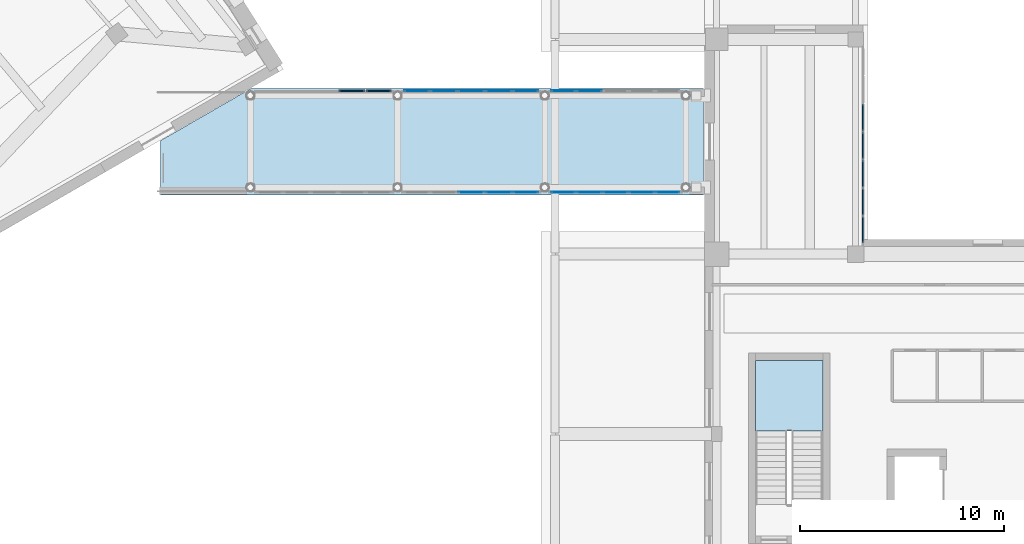
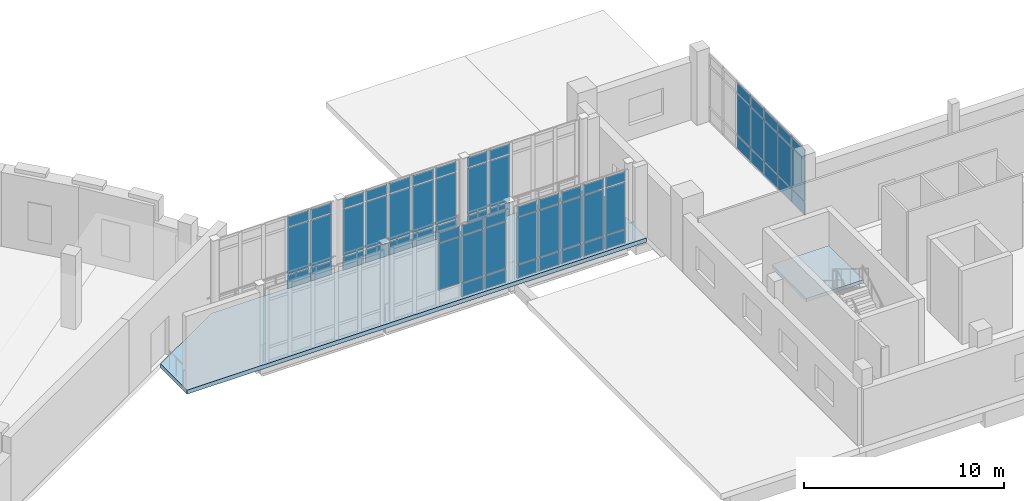
# One storey, part 43 of 75: 65 plates, 2 slabs, 7 elements without a shape of their own.
"""IFC4 building model written with IfcOpenShell, lengths in metres."""

from ifc_helpers import new_model, si_unit, direction, frame, origin, origin_2d, place, context, subcontext, project, spatial, polyline, rectangle, outline, extrude, material, layer, layer_set, type_object, element, aggregate, save


model = new_model("IFC4")

# Units and contexts
model_context = context("Model", 3, precision=1e-05, world=origin(), true_north=direction((0.0, 1.0)))
body_context = subcontext(model_context, "Body", "Model", "MODEL_VIEW")
ifc_project = project(units=[si_unit("LENGTHUNIT", "METRE"), si_unit("AREAUNIT", "SQUARE_METRE"), si_unit("VOLUMEUNIT", "CUBIC_METRE"), si_unit("PLANEANGLEUNIT", "RADIAN"), si_unit("MASSUNIT", "GRAM", prefix="KILO")], contexts=[model_context])

# Site, building, storey
site_placement = place(None, origin())
site = spatial("IfcSite", under=ifc_project, at=site_placement, CompositionType="ELEMENT")
building_placement = place(site_placement, origin())
building = spatial("IfcBuilding", under=site, at=building_placement, Name="Soyqirgoq Riverine Aquarium", CompositionType="ELEMENT")
storey_placement = place(building_placement, frame((0.0, 0.0, 10.199951171875)))
storey = spatial("IfcBuildingStorey", under=building, at=storey_placement, Name="L03", CompositionType="ELEMENT", Elevation=10.199951171875)

# Curtain wall, plates
ifc_material_1 = material(Name="Laminated solar-control bridge curtain wall", Category="aluminium")
curtain_wall_type_1 = type_object("IfcCurtainWallType", Name="CW_Bridge_Concourse", PredefinedType="NOTDEFINED", material=ifc_material_1)
curtain_wall_1_placement = place(storey_placement, origin())
curtain_wall_1 = element("IfcCurtainWall", 1, at=curtain_wall_1_placement, inside=storey, type_object=curtain_wall_type_1, Name="BR-2 L03 Curtain Wall 142", PredefinedType="NOTDEFINED")
ifc_material_2 = material(Name="Triple insulated laminated low-E glass", Category="glass")
ifc_layer_1 = layer(ifc_material_2, 0.0458984375)
ifc_layer_set_1 = layer_set([ifc_layer_1], Name="Triple insulated laminated low-E glass")
plate_type_1 = type_object("IfcPlateType", Name="CWGlazedPanel_46", PredefinedType="CURTAIN_PANEL", material=ifc_layer_set_1)
plate_1_placement = place(storey_placement, frame((110.60009765625, 77.320068359375, 0.9375), z_axis=(0.0, 0.0, 1.0), x_axis=(1.0, 0.0, 0.0)))
plate_1 = element("IfcPlate", 2, at=plate_1_placement, type_object=plate_type_1, Name="CW-06 panel 3.2", PredefinedType="CURTAIN_PANEL", context=body_context, shape_type="SweptSolid", body=[
    extrude(rectangle(XDim=1.263916015625, YDim=0.0458984375, at=origin_2d()), origin(), (0.0, 0.0, 1.0), 2.824951171875),
])
plate_2_placement = place(storey_placement, frame((110.60009765625, 77.320068359375, 3.837646484375), z_axis=(0.0, 0.0, 1.0), x_axis=(1.0, 0.0, 0.0)))
plate_2 = element("IfcPlate", 3, at=plate_2_placement, type_object=plate_type_1, Name="CW-06 panel 3.3", PredefinedType="CURTAIN_PANEL", context=body_context, shape_type="SweptSolid", body=[
    extrude(rectangle(XDim=1.263916015625, YDim=0.0458984375, at=origin_2d()), origin(), (0.0, 0.0, 1.0), 0.58740234375),
])
plate_3_placement = place(storey_placement, frame((111.944091796875, 77.320068359375, 0.074951171875), z_axis=(0.0, 0.0, 1.0), x_axis=(1.0, 0.0, 0.0)))
plate_3 = element("IfcPlate", 4, at=plate_3_placement, type_object=plate_type_1, Name="CW-06 panel 4.1", PredefinedType="CURTAIN_PANEL", context=body_context, shape_type="SweptSolid", body=[
    extrude(rectangle(XDim=1.263916015625, YDim=0.0458984375, at=origin_2d()), origin(), (0.0, 0.0, 1.0), 0.78759765625),
])
plate_4_placement = place(storey_placement, frame((111.944091796875, 77.320068359375, 0.9375), z_axis=(0.0, 0.0, 1.0), x_axis=(1.0, 0.0, 0.0)))
plate_4 = element("IfcPlate", 5, at=plate_4_placement, type_object=plate_type_1, Name="CW-06 panel 4.2", PredefinedType="CURTAIN_PANEL", context=body_context, shape_type="SweptSolid", body=[
    extrude(rectangle(XDim=1.263916015625, YDim=0.0458984375, at=origin_2d()), origin(), (0.0, 0.0, 1.0), 2.824951171875),
])
plate_5_placement = place(storey_placement, frame((111.944091796875, 77.320068359375, 3.837646484375), z_axis=(0.0, 0.0, 1.0), x_axis=(1.0, 0.0, 0.0)))
plate_5 = element("IfcPlate", 6, at=plate_5_placement, type_object=plate_type_1, Name="CW-06 panel 4.3", PredefinedType="CURTAIN_PANEL", context=body_context, shape_type="SweptSolid", body=[
    extrude(rectangle(XDim=1.263916015625, YDim=0.0458984375, at=origin_2d()), origin(), (0.0, 0.0, 1.0), 0.58740234375),
])
plate_6_placement = place(storey_placement, frame((113.26806640625, 77.320068359375, 0.074951171875), z_axis=(0.0, 0.0, 1.0), x_axis=(1.0, 0.0, 0.0)))
plate_6 = element("IfcPlate", 7, at=plate_6_placement, type_object=plate_type_1, Name="CW-06 panel 5.1", PredefinedType="CURTAIN_PANEL", context=body_context, shape_type="SweptSolid", body=[
    extrude(rectangle(XDim=1.22412109375, YDim=0.0458984375, at=origin_2d()), origin(), (0.0, 0.0, 1.0), 0.78759765625),
])
plate_7_placement = place(storey_placement, frame((113.26806640625, 77.320068359375, 0.9375), z_axis=(0.0, 0.0, 1.0), x_axis=(1.0, 0.0, 0.0)))
plate_7 = element("IfcPlate", 8, at=plate_7_placement, type_object=plate_type_1, Name="CW-06 panel 5.2", PredefinedType="CURTAIN_PANEL", context=body_context, shape_type="SweptSolid", body=[
    extrude(rectangle(XDim=1.22412109375, YDim=0.0458984375, at=origin_2d()), origin(), (0.0, 0.0, 1.0), 2.824951171875),
])
plate_8_placement = place(storey_placement, frame((113.26806640625, 77.320068359375, 3.837646484375), z_axis=(0.0, 0.0, 1.0), x_axis=(1.0, 0.0, 0.0)))
plate_8 = element("IfcPlate", 9, at=plate_8_placement, type_object=plate_type_1, Name="CW-06 panel 5.3", PredefinedType="CURTAIN_PANEL", context=body_context, shape_type="SweptSolid", body=[
    extrude(rectangle(XDim=1.22412109375, YDim=0.0458984375, at=origin_2d()), origin(), (0.0, 0.0, 1.0), 0.58740234375),
])
aggregate(curtain_wall_1, [plate_1, plate_2, plate_3, plate_4, plate_5, plate_6, plate_7, plate_8])

curtain_wall_2_placement = place(storey_placement, origin())
curtain_wall_2 = element("IfcCurtainWall", 10, at=curtain_wall_2_placement, inside=storey, type_object=curtain_wall_type_1, Name="BR-2 L03 Curtain Wall 143", PredefinedType="NOTDEFINED")
plate_9_placement = place(storey_placement, frame((115.10205078125, 77.320068359375, 0.074951171875), z_axis=(0.0, 0.0, 1.0), x_axis=(1.0, 0.0, 0.0)))
plate_9 = element("IfcPlate", 11, at=plate_9_placement, type_object=plate_type_1, Name="CW-06 panel 1.1", PredefinedType="CURTAIN_PANEL", context=body_context, shape_type="SweptSolid", body=[
    extrude(rectangle(XDim=1.1640625, YDim=0.0458984375, at=origin_2d()), origin(), (0.0, 0.0, 1.0), 0.78759765625),
])
plate_10_placement = place(storey_placement, frame((115.10205078125, 77.320068359375, 0.9375), z_axis=(0.0, 0.0, 1.0), x_axis=(1.0, 0.0, 0.0)))
plate_10 = element("IfcPlate", 12, at=plate_10_placement, type_object=plate_type_1, Name="CW-06 panel 1.2", PredefinedType="CURTAIN_PANEL", context=body_context, shape_type="SweptSolid", body=[
    extrude(rectangle(XDim=1.1640625, YDim=0.0458984375, at=origin_2d()), origin(), (0.0, 0.0, 1.0), 2.824951171875),
])
plate_11_placement = place(storey_placement, frame((115.10205078125, 77.320068359375, 3.837646484375), z_axis=(0.0, 0.0, 1.0), x_axis=(1.0, 0.0, 0.0)))
plate_11 = element("IfcPlate", 13, at=plate_11_placement, type_object=plate_type_1, Name="CW-06 panel 1.3", PredefinedType="CURTAIN_PANEL", context=body_context, shape_type="SweptSolid", body=[
    extrude(rectangle(XDim=1.1640625, YDim=0.0458984375, at=origin_2d()), origin(), (0.0, 0.0, 1.0), 0.58740234375),
])
plate_12_placement = place(storey_placement, frame((116.365966796875, 77.320068359375, 0.074951171875), z_axis=(0.0, 0.0, 1.0), x_axis=(1.0, 0.0, 0.0)))
plate_12 = element("IfcPlate", 14, at=plate_12_placement, type_object=plate_type_1, Name="CW-06 panel 2.1", PredefinedType="CURTAIN_PANEL", context=body_context, shape_type="SweptSolid", body=[
    extrude(rectangle(XDim=1.2041015625, YDim=0.0458984375, at=origin_2d()), origin(), (0.0, 0.0, 1.0), 0.78759765625),
])
plate_13_placement = place(storey_placement, frame((116.365966796875, 77.320068359375, 0.9375), z_axis=(0.0, 0.0, 1.0), x_axis=(1.0, 0.0, 0.0)))
plate_13 = element("IfcPlate", 15, at=plate_13_placement, type_object=plate_type_1, Name="CW-06 panel 2.2", PredefinedType="CURTAIN_PANEL", context=body_context, shape_type="SweptSolid", body=[
    extrude(rectangle(XDim=1.2041015625, YDim=0.0458984375, at=origin_2d()), origin(), (0.0, 0.0, 1.0), 2.824951171875),
])
plate_14_placement = place(storey_placement, frame((116.365966796875, 77.320068359375, 3.837646484375), z_axis=(0.0, 0.0, 1.0), x_axis=(1.0, 0.0, 0.0)))
plate_14 = element("IfcPlate", 16, at=plate_14_placement, type_object=plate_type_1, Name="CW-06 panel 2.3", PredefinedType="CURTAIN_PANEL", context=body_context, shape_type="SweptSolid", body=[
    extrude(rectangle(XDim=1.2041015625, YDim=0.0458984375, at=origin_2d()), origin(), (0.0, 0.0, 1.0), 0.58740234375),
])
plate_15_placement = place(storey_placement, frame((117.64990234375, 77.320068359375, 0.074951171875), z_axis=(0.0, 0.0, 1.0), x_axis=(1.0, 0.0, 0.0)))
plate_15 = element("IfcPlate", 17, at=plate_15_placement, type_object=plate_type_1, Name="CW-06 panel 3.1", PredefinedType="CURTAIN_PANEL", context=body_context, shape_type="SweptSolid", body=[
    extrude(rectangle(XDim=1.2041015625, YDim=0.0458984375, at=origin_2d()), origin(), (0.0, 0.0, 1.0), 0.78759765625),
])
plate_16_placement = place(storey_placement, frame((117.64990234375, 77.320068359375, 0.9375), z_axis=(0.0, 0.0, 1.0), x_axis=(1.0, 0.0, 0.0)))
plate_16 = element("IfcPlate", 18, at=plate_16_placement, type_object=plate_type_1, Name="CW-06 panel 3.2", PredefinedType="CURTAIN_PANEL", context=body_context, shape_type="SweptSolid", body=[
    extrude(rectangle(XDim=1.2041015625, YDim=0.0458984375, at=origin_2d()), origin(), (0.0, 0.0, 1.0), 2.824951171875),
])
plate_17_placement = place(storey_placement, frame((117.64990234375, 77.320068359375, 3.837646484375), z_axis=(0.0, 0.0, 1.0), x_axis=(1.0, 0.0, 0.0)))
plate_17 = element("IfcPlate", 19, at=plate_17_placement, type_object=plate_type_1, Name="CW-06 panel 3.3", PredefinedType="CURTAIN_PANEL", context=body_context, shape_type="SweptSolid", body=[
    extrude(rectangle(XDim=1.2041015625, YDim=0.0458984375, at=origin_2d()), origin(), (0.0, 0.0, 1.0), 0.58740234375),
])
plate_18_placement = place(storey_placement, frame((118.93408203125, 77.320068359375, 0.074951171875), z_axis=(0.0, 0.0, 1.0), x_axis=(1.0, 0.0, 0.0)))
plate_18 = element("IfcPlate", 20, at=plate_18_placement, type_object=plate_type_1, Name="CW-06 panel 4.1", PredefinedType="CURTAIN_PANEL", context=body_context, shape_type="SweptSolid", body=[
    extrude(rectangle(XDim=1.2041015625, YDim=0.0458984375, at=origin_2d()), origin(), (0.0, 0.0, 1.0), 0.78759765625),
])
plate_19_placement = place(storey_placement, frame((118.93408203125, 77.320068359375, 0.9375), z_axis=(0.0, 0.0, 1.0), x_axis=(1.0, 0.0, 0.0)))
plate_19 = element("IfcPlate", 21, at=plate_19_placement, type_object=plate_type_1, Name="CW-06 panel 4.2", PredefinedType="CURTAIN_PANEL", context=body_context, shape_type="SweptSolid", body=[
    extrude(rectangle(XDim=1.2041015625, YDim=0.0458984375, at=origin_2d()), origin(), (0.0, 0.0, 1.0), 2.824951171875),
])
plate_20_placement = place(storey_placement, frame((118.93408203125, 77.320068359375, 3.837646484375), z_axis=(0.0, 0.0, 1.0), x_axis=(1.0, 0.0, 0.0)))
plate_20 = element("IfcPlate", 22, at=plate_20_placement, type_object=plate_type_1, Name="CW-06 panel 4.3", PredefinedType="CURTAIN_PANEL", context=body_context, shape_type="SweptSolid", body=[
    extrude(rectangle(XDim=1.2041015625, YDim=0.0458984375, at=origin_2d()), origin(), (0.0, 0.0, 1.0), 0.58740234375),
])
plate_21_placement = place(storey_placement, frame((120.197998046875, 77.320068359375, 0.074951171875), z_axis=(0.0, 0.0, 1.0), x_axis=(1.0, 0.0, 0.0)))
plate_21 = element("IfcPlate", 23, at=plate_21_placement, type_object=plate_type_1, Name="CW-06 panel 5.1", PredefinedType="CURTAIN_PANEL", context=body_context, shape_type="SweptSolid", body=[
    extrude(rectangle(XDim=1.1640625, YDim=0.0458984375, at=origin_2d()), origin(), (0.0, 0.0, 1.0), 0.78759765625),
])
plate_22_placement = place(storey_placement, frame((120.197998046875, 77.320068359375, 0.9375), z_axis=(0.0, 0.0, 1.0), x_axis=(1.0, 0.0, 0.0)))
plate_22 = element("IfcPlate", 24, at=plate_22_placement, type_object=plate_type_1, Name="CW-06 panel 5.2", PredefinedType="CURTAIN_PANEL", context=body_context, shape_type="SweptSolid", body=[
    extrude(rectangle(XDim=1.1640625, YDim=0.0458984375, at=origin_2d()), origin(), (0.0, 0.0, 1.0), 2.824951171875),
])
plate_23_placement = place(storey_placement, frame((120.197998046875, 77.320068359375, 3.837646484375), z_axis=(0.0, 0.0, 1.0), x_axis=(1.0, 0.0, 0.0)))
plate_23 = element("IfcPlate", 25, at=plate_23_placement, type_object=plate_type_1, Name="CW-06 panel 5.3", PredefinedType="CURTAIN_PANEL", context=body_context, shape_type="SweptSolid", body=[
    extrude(rectangle(XDim=1.1640625, YDim=0.0458984375, at=origin_2d()), origin(), (0.0, 0.0, 1.0), 0.58740234375),
])
aggregate(curtain_wall_2, [plate_9, plate_10, plate_11, plate_12, plate_13, plate_14, plate_15, plate_16, plate_17, plate_18, plate_19, plate_20, plate_21, plate_22, plate_23])

curtain_wall_3_placement = place(storey_placement, origin())
curtain_wall_3 = element("IfcCurtainWall", 26, at=curtain_wall_3_placement, inside=storey, type_object=curtain_wall_type_1, Name="BR-2 L03 Curtain Wall 145", PredefinedType="NOTDEFINED")
plate_24_placement = place(storey_placement, frame((107.931884765625, 82.280029296875, 0.074951171875), z_axis=(0.0, 0.0, 1.0), x_axis=(1.0, 0.0, 0.0)))
plate_24 = element("IfcPlate", 27, at=plate_24_placement, type_object=plate_type_1, Name="CW-06 panel 1.1", PredefinedType="CURTAIN_PANEL", context=body_context, shape_type="SweptSolid", body=[
    extrude(rectangle(XDim=1.22412109375, YDim=0.0458984375, at=origin_2d()), origin(), (0.0, 0.0, 1.0), 0.78759765625),
])
plate_25_placement = place(storey_placement, frame((107.931884765625, 82.280029296875, 0.9375), z_axis=(0.0, 0.0, 1.0), x_axis=(1.0, 0.0, 0.0)))
plate_25 = element("IfcPlate", 28, at=plate_25_placement, type_object=plate_type_1, Name="CW-06 panel 1.2", PredefinedType="CURTAIN_PANEL", context=body_context, shape_type="SweptSolid", body=[
    extrude(rectangle(XDim=1.22412109375, YDim=0.0458984375, at=origin_2d()), origin(), (0.0, 0.0, 1.0), 2.824951171875),
])
plate_26_placement = place(storey_placement, frame((107.931884765625, 82.280029296875, 3.837646484375), z_axis=(0.0, 0.0, 1.0), x_axis=(1.0, 0.0, 0.0)))
plate_26 = element("IfcPlate", 29, at=plate_26_placement, type_object=plate_type_1, Name="CW-06 panel 1.3", PredefinedType="CURTAIN_PANEL", context=body_context, shape_type="SweptSolid", body=[
    extrude(rectangle(XDim=1.22412109375, YDim=0.0458984375, at=origin_2d()), origin(), (0.0, 0.0, 1.0), 0.58740234375),
])
plate_27_placement = place(storey_placement, frame((109.256103515625, 82.280029296875, 0.074951171875), z_axis=(0.0, 0.0, 1.0), x_axis=(1.0, 0.0, 0.0)))
plate_27 = element("IfcPlate", 30, at=plate_27_placement, type_object=plate_type_1, Name="CW-06 panel 2.1", PredefinedType="CURTAIN_PANEL", context=body_context, shape_type="SweptSolid", body=[
    extrude(rectangle(XDim=1.263916015625, YDim=0.0458984375, at=origin_2d()), origin(), (0.0, 0.0, 1.0), 0.78759765625),
])
plate_28_placement = place(storey_placement, frame((109.256103515625, 82.280029296875, 0.9375), z_axis=(0.0, 0.0, 1.0), x_axis=(1.0, 0.0, 0.0)))
plate_28 = element("IfcPlate", 31, at=plate_28_placement, type_object=plate_type_1, Name="CW-06 panel 2.2", PredefinedType="CURTAIN_PANEL", context=body_context, shape_type="SweptSolid", body=[
    extrude(rectangle(XDim=1.263916015625, YDim=0.0458984375, at=origin_2d()), origin(), (0.0, 0.0, 1.0), 2.824951171875),
])
plate_29_placement = place(storey_placement, frame((109.256103515625, 82.280029296875, 3.837646484375), z_axis=(0.0, 0.0, 1.0), x_axis=(1.0, 0.0, 0.0)))
plate_29 = element("IfcPlate", 32, at=plate_29_placement, type_object=plate_type_1, Name="CW-06 panel 2.3", PredefinedType="CURTAIN_PANEL", context=body_context, shape_type="SweptSolid", body=[
    extrude(rectangle(XDim=1.263916015625, YDim=0.0458984375, at=origin_2d()), origin(), (0.0, 0.0, 1.0), 0.58740234375),
])
plate_30_placement = place(storey_placement, frame((110.60009765625, 82.280029296875, 0.074951171875), z_axis=(0.0, 0.0, 1.0), x_axis=(1.0, 0.0, 0.0)))
plate_30 = element("IfcPlate", 33, at=plate_30_placement, type_object=plate_type_1, Name="CW-06 panel 3.1", PredefinedType="CURTAIN_PANEL", context=body_context, shape_type="SweptSolid", body=[
    extrude(rectangle(XDim=1.263916015625, YDim=0.0458984375, at=origin_2d()), origin(), (0.0, 0.0, 1.0), 0.78759765625),
])
plate_31_placement = place(storey_placement, frame((110.60009765625, 82.280029296875, 0.9375), z_axis=(0.0, 0.0, 1.0), x_axis=(1.0, 0.0, 0.0)))
plate_31 = element("IfcPlate", 34, at=plate_31_placement, type_object=plate_type_1, Name="CW-06 panel 3.2", PredefinedType="CURTAIN_PANEL", context=body_context, shape_type="SweptSolid", body=[
    extrude(rectangle(XDim=1.263916015625, YDim=0.0458984375, at=origin_2d()), origin(), (0.0, 0.0, 1.0), 2.824951171875),
])
plate_32_placement = place(storey_placement, frame((110.60009765625, 82.280029296875, 3.837646484375), z_axis=(0.0, 0.0, 1.0), x_axis=(1.0, 0.0, 0.0)))
plate_32 = element("IfcPlate", 35, at=plate_32_placement, type_object=plate_type_1, Name="CW-06 panel 3.3", PredefinedType="CURTAIN_PANEL", context=body_context, shape_type="SweptSolid", body=[
    extrude(rectangle(XDim=1.263916015625, YDim=0.0458984375, at=origin_2d()), origin(), (0.0, 0.0, 1.0), 0.58740234375),
])
plate_33_placement = place(storey_placement, frame((111.944091796875, 82.280029296875, 0.074951171875), z_axis=(0.0, 0.0, 1.0), x_axis=(1.0, 0.0, 0.0)))
plate_33 = element("IfcPlate", 36, at=plate_33_placement, type_object=plate_type_1, Name="CW-06 panel 4.1", PredefinedType="CURTAIN_PANEL", context=body_context, shape_type="SweptSolid", body=[
    extrude(rectangle(XDim=1.263916015625, YDim=0.0458984375, at=origin_2d()), origin(), (0.0, 0.0, 1.0), 0.78759765625),
])
plate_34_placement = place(storey_placement, frame((111.944091796875, 82.280029296875, 0.9375), z_axis=(0.0, 0.0, 1.0), x_axis=(1.0, 0.0, 0.0)))
plate_34 = element("IfcPlate", 37, at=plate_34_placement, type_object=plate_type_1, Name="CW-06 panel 4.2", PredefinedType="CURTAIN_PANEL", context=body_context, shape_type="SweptSolid", body=[
    extrude(rectangle(XDim=1.263916015625, YDim=0.0458984375, at=origin_2d()), origin(), (0.0, 0.0, 1.0), 2.824951171875),
])
plate_35_placement = place(storey_placement, frame((111.944091796875, 82.280029296875, 3.837646484375), z_axis=(0.0, 0.0, 1.0), x_axis=(1.0, 0.0, 0.0)))
plate_35 = element("IfcPlate", 38, at=plate_35_placement, type_object=plate_type_1, Name="CW-06 panel 4.3", PredefinedType="CURTAIN_PANEL", context=body_context, shape_type="SweptSolid", body=[
    extrude(rectangle(XDim=1.263916015625, YDim=0.0458984375, at=origin_2d()), origin(), (0.0, 0.0, 1.0), 0.58740234375),
])
plate_36_placement = place(storey_placement, frame((113.26806640625, 82.280029296875, 0.074951171875), z_axis=(0.0, 0.0, 1.0), x_axis=(1.0, 0.0, 0.0)))
plate_36 = element("IfcPlate", 39, at=plate_36_placement, type_object=plate_type_1, Name="CW-06 panel 5.1", PredefinedType="CURTAIN_PANEL", context=body_context, shape_type="SweptSolid", body=[
    extrude(rectangle(XDim=1.22412109375, YDim=0.0458984375, at=origin_2d()), origin(), (0.0, 0.0, 1.0), 0.78759765625),
])
plate_37_placement = place(storey_placement, frame((113.26806640625, 82.280029296875, 0.9375), z_axis=(0.0, 0.0, 1.0), x_axis=(1.0, 0.0, 0.0)))
plate_37 = element("IfcPlate", 40, at=plate_37_placement, type_object=plate_type_1, Name="CW-06 panel 5.2", PredefinedType="CURTAIN_PANEL", context=body_context, shape_type="SweptSolid", body=[
    extrude(rectangle(XDim=1.22412109375, YDim=0.0458984375, at=origin_2d()), origin(), (0.0, 0.0, 1.0), 2.824951171875),
])
plate_38_placement = place(storey_placement, frame((113.26806640625, 82.280029296875, 3.837646484375), z_axis=(0.0, 0.0, 1.0), x_axis=(1.0, 0.0, 0.0)))
plate_38 = element("IfcPlate", 41, at=plate_38_placement, type_object=plate_type_1, Name="CW-06 panel 5.3", PredefinedType="CURTAIN_PANEL", context=body_context, shape_type="SweptSolid", body=[
    extrude(rectangle(XDim=1.22412109375, YDim=0.0458984375, at=origin_2d()), origin(), (0.0, 0.0, 1.0), 0.58740234375),
])
aggregate(curtain_wall_3, [plate_24, plate_25, plate_26, plate_27, plate_28, plate_29, plate_30, plate_31, plate_32, plate_33, plate_34, plate_35, plate_36, plate_37, plate_38])

curtain_wall_4_placement = place(storey_placement, origin())
curtain_wall_4 = element("IfcCurtainWall", 42, at=curtain_wall_4_placement, inside=storey, type_object=curtain_wall_type_1, Name="BR-2 L03 Curtain Wall 146", PredefinedType="NOTDEFINED")
plate_39_placement = place(storey_placement, frame((115.10205078125, 82.280029296875, 0.074951171875), z_axis=(0.0, 0.0, 1.0), x_axis=(1.0, 0.0, 0.0)))
plate_39 = element("IfcPlate", 43, at=plate_39_placement, type_object=plate_type_1, Name="CW-06 panel 1.1", PredefinedType="CURTAIN_PANEL", context=body_context, shape_type="SweptSolid", body=[
    extrude(rectangle(XDim=1.1640625, YDim=0.0458984375, at=origin_2d()), origin(), (0.0, 0.0, 1.0), 0.78759765625),
])
plate_40_placement = place(storey_placement, frame((115.10205078125, 82.280029296875, 0.9375), z_axis=(0.0, 0.0, 1.0), x_axis=(1.0, 0.0, 0.0)))
plate_40 = element("IfcPlate", 44, at=plate_40_placement, type_object=plate_type_1, Name="CW-06 panel 1.2", PredefinedType="CURTAIN_PANEL", context=body_context, shape_type="SweptSolid", body=[
    extrude(rectangle(XDim=1.1640625, YDim=0.0458984375, at=origin_2d()), origin(), (0.0, 0.0, 1.0), 2.824951171875),
])
plate_41_placement = place(storey_placement, frame((115.10205078125, 82.280029296875, 3.837646484375), z_axis=(0.0, 0.0, 1.0), x_axis=(1.0, 0.0, 0.0)))
plate_41 = element("IfcPlate", 45, at=plate_41_placement, type_object=plate_type_1, Name="CW-06 panel 1.3", PredefinedType="CURTAIN_PANEL", context=body_context, shape_type="SweptSolid", body=[
    extrude(rectangle(XDim=1.1640625, YDim=0.0458984375, at=origin_2d()), origin(), (0.0, 0.0, 1.0), 0.58740234375),
])
plate_42_placement = place(storey_placement, frame((116.365966796875, 82.280029296875, 0.074951171875), z_axis=(0.0, 0.0, 1.0), x_axis=(1.0, 0.0, 0.0)))
plate_42 = element("IfcPlate", 46, at=plate_42_placement, type_object=plate_type_1, Name="CW-06 panel 2.1", PredefinedType="CURTAIN_PANEL", context=body_context, shape_type="SweptSolid", body=[
    extrude(rectangle(XDim=1.2041015625, YDim=0.0458984375, at=origin_2d()), origin(), (0.0, 0.0, 1.0), 0.78759765625),
])
plate_43_placement = place(storey_placement, frame((116.365966796875, 82.280029296875, 0.9375), z_axis=(0.0, 0.0, 1.0), x_axis=(1.0, 0.0, 0.0)))
plate_43 = element("IfcPlate", 47, at=plate_43_placement, type_object=plate_type_1, Name="CW-06 panel 2.2", PredefinedType="CURTAIN_PANEL", context=body_context, shape_type="SweptSolid", body=[
    extrude(rectangle(XDim=1.2041015625, YDim=0.0458984375, at=origin_2d()), origin(), (0.0, 0.0, 1.0), 2.824951171875),
])
plate_44_placement = place(storey_placement, frame((116.365966796875, 82.280029296875, 3.837646484375), z_axis=(0.0, 0.0, 1.0), x_axis=(1.0, 0.0, 0.0)))
plate_44 = element("IfcPlate", 48, at=plate_44_placement, type_object=plate_type_1, Name="CW-06 panel 2.3", PredefinedType="CURTAIN_PANEL", context=body_context, shape_type="SweptSolid", body=[
    extrude(rectangle(XDim=1.2041015625, YDim=0.0458984375, at=origin_2d()), origin(), (0.0, 0.0, 1.0), 0.58740234375),
])
aggregate(curtain_wall_4, [plate_39, plate_40, plate_41, plate_42, plate_43, plate_44])

ifc_material_3 = material(Name="Anodised aluminium thermally broken gallery curtain wall", Category="aluminium")
curtain_wall_type_2 = type_object("IfcCurtainWallType", Name="CW_Pavilion_Ribbon", PredefinedType="NOTDEFINED", material=ifc_material_3)
curtain_wall_5_placement = place(storey_placement, origin())
curtain_wall_5 = element("IfcCurtainWall", 49, at=curtain_wall_5_placement, inside=storey, type_object=curtain_wall_type_2, Name="V7 L03 Curtain Wall 132", PredefinedType="NOTDEFINED")
ifc_material_4 = material(Name="Insulated shadow-box aluminium spandrel panel", Category="aluminium")
ifc_layer_2 = layer(ifc_material_4, 0.06005859375)
ifc_layer_set_2 = layer_set([ifc_layer_2], Name="Insulated shadow-box aluminium spandrel panel")
plate_type_2 = type_object("IfcPlateType", Name="CWSpandrelPanel_60", PredefinedType="CURTAIN_PANEL", material=ifc_layer_set_2)
plate_45_placement = place(storey_placement, frame((129.75, 80.97119140625, 0.074951171875), z_axis=(0.0, 0.0, 1.0), x_axis=(0.0, -1.0, 0.0)))
plate_45 = element("IfcPlate", 50, at=plate_45_placement, type_object=plate_type_2, Name="CW-05 panel 3.1", PredefinedType="CURTAIN_PANEL", context=body_context, shape_type="SweptSolid", body=[
    extrude(rectangle(XDim=1.30859375, YDim=0.06005859375, at=origin_2d()), origin(), (0.0, 0.0, 1.0), 0.78759765625),
])
plate_46_placement = place(storey_placement, frame((129.75, 80.97119140625, 0.9375), z_axis=(0.0, 0.0, 1.0), x_axis=(0.0, -1.0, 0.0)))
plate_46 = element("IfcPlate", 51, at=plate_46_placement, type_object=plate_type_2, Name="CW-05 panel 3.2", PredefinedType="CURTAIN_PANEL", context=body_context, shape_type="SweptSolid", body=[
    extrude(rectangle(XDim=1.30859375, YDim=0.06005859375, at=origin_2d()), origin(), (0.0, 0.0, 1.0), 2.47509765625),
])
plate_47_placement = place(storey_placement, frame((129.75, 80.97119140625, 3.487548828125), z_axis=(0.0, 0.0, 1.0), x_axis=(0.0, -1.0, 0.0)))
plate_47 = element("IfcPlate", 52, at=plate_47_placement, type_object=plate_type_2, Name="CW-05 panel 3.3", PredefinedType="CURTAIN_PANEL", context=body_context, shape_type="SweptSolid", body=[
    extrude(rectangle(XDim=1.30859375, YDim=0.06005859375, at=origin_2d()), origin(), (0.0, 0.0, 1.0), 0.58740234375),
])
plate_48_placement = place(storey_placement, frame((129.75, 79.597412109375, 0.074951171875), z_axis=(0.0, 0.0, 1.0), x_axis=(0.0, -1.0, 0.0)))
plate_48 = element("IfcPlate", 53, at=plate_48_placement, type_object=plate_type_2, Name="CW-05 panel 4.1", PredefinedType="CURTAIN_PANEL", context=body_context, shape_type="SweptSolid", body=[
    extrude(rectangle(XDim=1.30859375, YDim=0.06005859375, at=origin_2d()), origin(), (0.0, 0.0, 1.0), 0.78759765625),
])
plate_49_placement = place(storey_placement, frame((129.75, 79.597412109375, 0.9375), z_axis=(0.0, 0.0, 1.0), x_axis=(0.0, -1.0, 0.0)))
plate_49 = element("IfcPlate", 54, at=plate_49_placement, type_object=plate_type_2, Name="CW-05 panel 4.2", PredefinedType="CURTAIN_PANEL", context=body_context, shape_type="SweptSolid", body=[
    extrude(rectangle(XDim=1.30859375, YDim=0.06005859375, at=origin_2d()), origin(), (0.0, 0.0, 1.0), 2.47509765625),
])
plate_50_placement = place(storey_placement, frame((129.75, 79.597412109375, 3.487548828125), z_axis=(0.0, 0.0, 1.0), x_axis=(0.0, -1.0, 0.0)))
plate_50 = element("IfcPlate", 55, at=plate_50_placement, type_object=plate_type_2, Name="CW-05 panel 4.3", PredefinedType="CURTAIN_PANEL", context=body_context, shape_type="SweptSolid", body=[
    extrude(rectangle(XDim=1.30859375, YDim=0.06005859375, at=origin_2d()), origin(), (0.0, 0.0, 1.0), 0.58740234375),
])
plate_51_placement = place(storey_placement, frame((129.75, 78.223876953125, 0.074951171875), z_axis=(0.0, 0.0, 1.0), x_axis=(0.0, -1.0, 0.0)))
plate_51 = element("IfcPlate", 56, at=plate_51_placement, type_object=plate_type_2, Name="CW-05 panel 5.1", PredefinedType="CURTAIN_PANEL", context=body_context, shape_type="SweptSolid", body=[
    extrude(rectangle(XDim=1.30859375, YDim=0.06005859375, at=origin_2d()), origin(), (0.0, 0.0, 1.0), 0.78759765625),
])
plate_52_placement = place(storey_placement, frame((129.75, 78.223876953125, 0.9375), z_axis=(0.0, 0.0, 1.0), x_axis=(0.0, -1.0, 0.0)))
plate_52 = element("IfcPlate", 57, at=plate_52_placement, type_object=plate_type_2, Name="CW-05 panel 5.2", PredefinedType="CURTAIN_PANEL", context=body_context, shape_type="SweptSolid", body=[
    extrude(rectangle(XDim=1.30859375, YDim=0.06005859375, at=origin_2d()), origin(), (0.0, 0.0, 1.0), 2.47509765625),
])
plate_53_placement = place(storey_placement, frame((129.75, 78.223876953125, 3.487548828125), z_axis=(0.0, 0.0, 1.0), x_axis=(0.0, -1.0, 0.0)))
plate_53 = element("IfcPlate", 58, at=plate_53_placement, type_object=plate_type_2, Name="CW-05 panel 5.3", PredefinedType="CURTAIN_PANEL", context=body_context, shape_type="SweptSolid", body=[
    extrude(rectangle(XDim=1.30859375, YDim=0.06005859375, at=origin_2d()), origin(), (0.0, 0.0, 1.0), 0.58740234375),
])
plate_54_placement = place(storey_placement, frame((129.75, 76.850341796875, 0.074951171875), z_axis=(0.0, 0.0, 1.0), x_axis=(0.0, -1.0, 0.0)))
plate_54 = element("IfcPlate", 59, at=plate_54_placement, type_object=plate_type_2, Name="CW-05 panel 6.1", PredefinedType="CURTAIN_PANEL", context=body_context, shape_type="SweptSolid", body=[
    extrude(rectangle(XDim=1.30859375, YDim=0.06005859375, at=origin_2d()), origin(), (0.0, 0.0, 1.0), 0.78759765625),
])
plate_55_placement = place(storey_placement, frame((129.75, 76.850341796875, 0.9375), z_axis=(0.0, 0.0, 1.0), x_axis=(0.0, -1.0, 0.0)))
plate_55 = element("IfcPlate", 60, at=plate_55_placement, type_object=plate_type_2, Name="CW-05 panel 6.2", PredefinedType="CURTAIN_PANEL", context=body_context, shape_type="SweptSolid", body=[
    extrude(rectangle(XDim=1.30859375, YDim=0.06005859375, at=origin_2d()), origin(), (0.0, 0.0, 1.0), 2.47509765625),
])
plate_56_placement = place(storey_placement, frame((129.75, 76.850341796875, 3.487548828125), z_axis=(0.0, 0.0, 1.0), x_axis=(0.0, -1.0, 0.0)))
plate_56 = element("IfcPlate", 61, at=plate_56_placement, type_object=plate_type_2, Name="CW-05 panel 6.3", PredefinedType="CURTAIN_PANEL", context=body_context, shape_type="SweptSolid", body=[
    extrude(rectangle(XDim=1.30859375, YDim=0.06005859375, at=origin_2d()), origin(), (0.0, 0.0, 1.0), 0.58740234375),
])
plate_57_placement = place(storey_placement, frame((129.75, 75.492919921875, 0.074951171875), z_axis=(0.0, 0.0, 1.0), x_axis=(0.0, -1.0, 0.0)))
plate_57 = element("IfcPlate", 62, at=plate_57_placement, type_object=plate_type_2, Name="CW-05 panel 7.1", PredefinedType="CURTAIN_PANEL", context=body_context, shape_type="SweptSolid", body=[
    extrude(rectangle(XDim=1.276123046875, YDim=0.06005859375, at=origin_2d()), origin(), (0.0, 0.0, 1.0), 0.78759765625),
])
plate_58_placement = place(storey_placement, frame((129.75, 75.492919921875, 0.9375), z_axis=(0.0, 0.0, 1.0), x_axis=(0.0, -1.0, 0.0)))
plate_58 = element("IfcPlate", 63, at=plate_58_placement, type_object=plate_type_2, Name="CW-05 panel 7.2", PredefinedType="CURTAIN_PANEL", context=body_context, shape_type="SweptSolid", body=[
    extrude(rectangle(XDim=1.276123046875, YDim=0.06005859375, at=origin_2d()), origin(), (0.0, 0.0, 1.0), 2.47509765625),
])
plate_59_placement = place(storey_placement, frame((129.75, 75.492919921875, 3.487548828125), z_axis=(0.0, 0.0, 1.0), x_axis=(0.0, -1.0, 0.0)))
plate_59 = element("IfcPlate", 64, at=plate_59_placement, type_object=plate_type_2, Name="CW-05 panel 7.3", PredefinedType="CURTAIN_PANEL", context=body_context, shape_type="SweptSolid", body=[
    extrude(rectangle(XDim=1.276123046875, YDim=0.06005859375, at=origin_2d()), origin(), (0.0, 0.0, 1.0), 0.58740234375),
])
aggregate(curtain_wall_5, [plate_45, plate_46, plate_47, plate_48, plate_49, plate_50, plate_51, plate_52, plate_53, plate_54, plate_55, plate_56, plate_57, plate_58, plate_59])

curtain_wall_6_placement = place(storey_placement, origin())
curtain_wall_6 = element("IfcCurtainWall", 65, at=curtain_wall_6_placement, inside=storey, type_object=curtain_wall_type_1, Name="BR-2 L03 Curtain Wall 144", PredefinedType="NOTDEFINED")
plate_60_placement = place(storey_placement, frame((104.743896484375, 82.280029296875, 0.074951171875), z_axis=(0.0, 0.0, 1.0), x_axis=(1.0, 0.0, 0.0)))
plate_60 = element("IfcPlate", 66, at=plate_60_placement, type_object=plate_type_2, Name="CW-06 panel 4.1", PredefinedType="CURTAIN_PANEL", context=body_context, shape_type="SweptSolid", body=[
    extrude(rectangle(XDim=1.263916015625, YDim=0.06005859375, at=origin_2d()), origin(), (0.0, 0.0, 1.0), 0.78759765625),
])
plate_61_placement = place(storey_placement, frame((104.743896484375, 82.280029296875, 0.9375), z_axis=(0.0, 0.0, 1.0), x_axis=(1.0, 0.0, 0.0)))
plate_61 = element("IfcPlate", 67, at=plate_61_placement, type_object=plate_type_2, Name="CW-06 panel 4.2", PredefinedType="CURTAIN_PANEL", context=body_context, shape_type="SweptSolid", body=[
    extrude(rectangle(XDim=1.263916015625, YDim=0.06005859375, at=origin_2d()), origin(), (0.0, 0.0, 1.0), 2.824951171875),
])
plate_62_placement = place(storey_placement, frame((104.743896484375, 82.280029296875, 3.837646484375), z_axis=(0.0, 0.0, 1.0), x_axis=(1.0, 0.0, 0.0)))
plate_62 = element("IfcPlate", 68, at=plate_62_placement, type_object=plate_type_2, Name="CW-06 panel 4.3", PredefinedType="CURTAIN_PANEL", context=body_context, shape_type="SweptSolid", body=[
    extrude(rectangle(XDim=1.263916015625, YDim=0.06005859375, at=origin_2d()), origin(), (0.0, 0.0, 1.0), 0.58740234375),
])
plate_63_placement = place(storey_placement, frame((106.068115234375, 82.280029296875, 0.074951171875), z_axis=(0.0, 0.0, 1.0), x_axis=(1.0, 0.0, 0.0)))
plate_63 = element("IfcPlate", 69, at=plate_63_placement, type_object=plate_type_2, Name="CW-06 panel 5.1", PredefinedType="CURTAIN_PANEL", context=body_context, shape_type="SweptSolid", body=[
    extrude(rectangle(XDim=1.22412109375, YDim=0.06005859375, at=origin_2d()), origin(), (0.0, 0.0, 1.0), 0.78759765625),
])
plate_64_placement = place(storey_placement, frame((106.068115234375, 82.280029296875, 0.9375), z_axis=(0.0, 0.0, 1.0), x_axis=(1.0, 0.0, 0.0)))
plate_64 = element("IfcPlate", 70, at=plate_64_placement, type_object=plate_type_2, Name="CW-06 panel 5.2", PredefinedType="CURTAIN_PANEL", context=body_context, shape_type="SweptSolid", body=[
    extrude(rectangle(XDim=1.22412109375, YDim=0.06005859375, at=origin_2d()), origin(), (0.0, 0.0, 1.0), 2.824951171875),
])
plate_65_placement = place(storey_placement, frame((106.068115234375, 82.280029296875, 3.837646484375), z_axis=(0.0, 0.0, 1.0), x_axis=(1.0, 0.0, 0.0)))
plate_65 = element("IfcPlate", 71, at=plate_65_placement, type_object=plate_type_2, Name="CW-06 panel 5.3", PredefinedType="CURTAIN_PANEL", context=body_context, shape_type="SweptSolid", body=[
    extrude(rectangle(XDim=1.22412109375, YDim=0.06005859375, at=origin_2d()), origin(), (0.0, 0.0, 1.0), 0.58740234375),
])
aggregate(curtain_wall_6, [plate_60, plate_61, plate_62, plate_63, plate_64, plate_65])

# Stair, slab
ifc_material_5 = material(Name="Concrete C35/45", Category="concrete")
stair_type = type_object("IfcStairType", Name="CoreDoglegStair_RC", PredefinedType="HALF_TURN_STAIR", material=ifc_material_5)
stair_placement = place(storey_placement, origin())
stair = element("IfcStair", 72, at=stair_placement, inside=storey, type_object=stair_type, Name="L03 Enclosed Exit Stair ST-8", PredefinedType="HALF_TURN_STAIR")
ifc_material_6 = material(Name="Concrete C35/45", Category="concrete")
ifc_layer_3 = layer(ifc_material_6, 0.199951171875)
ifc_layer_set_3 = layer_set([ifc_layer_3], Name="Concrete C35/45")
slab_type_1 = type_object("IfcSlabType", Name="CoreStairLanding_RC", PredefinedType="LANDING", material=ifc_layer_set_3)
slab_1_placement = place(storey_placement, frame((0.0, 0.0, 2.199951171875)))
slab_1 = element("IfcSlab", 73, at=slab_1_placement, type_object=slab_type_1, Name="ST-8 landing 1", PredefinedType="LANDING", context=body_context, shape_type="SweptSolid", body=[
    extrude(outline(polyline([(127.800048828125, 65.64990234375), (127.800048828125, 69.10009765625), (124.5, 69.10009765625), (124.5, 65.64990234375), (127.800048828125, 65.64990234375)])), origin(), (0.0, 0.0, 1.0), 0.2001953125),
])
aggregate(stair, [slab_1])

# Slab
ifc_material_7 = material(Name="Concrete C35/45", Category="concrete")
ifc_layer_4 = layer(ifc_material_7, 0.25)
ifc_layer_set_4 = layer_set([ifc_layer_4], Name="Concrete C35/45")
slab_type_2 = type_object("IfcSlabType", Name="FloorSlab_250_C35", PredefinedType="FLOOR", material=ifc_layer_set_4)
slab_2_placement = place(storey_placement, frame((0.0, 0.0, -0.25)))
element("IfcSlab", 74, at=slab_2_placement, inside=storey, type_object=slab_type_2, Name="North Riverine Passage Bridge BR-2 Deck Slab", PredefinedType="FLOOR", context=body_context, shape_type="SweptSolid", body=[
    extrude(outline(polyline([(99.814208984375, 82.39990234375), (95.39990234375, 79.8515625), (95.39990234375, 77.199951171875), (121.949951171875, 77.199951171875), (121.949951171875, 82.39990234375), (99.814208984375, 82.39990234375)])), origin(), (0.0, 0.0, 1.0), 0.25),
])

save(model, "model.ifc")
